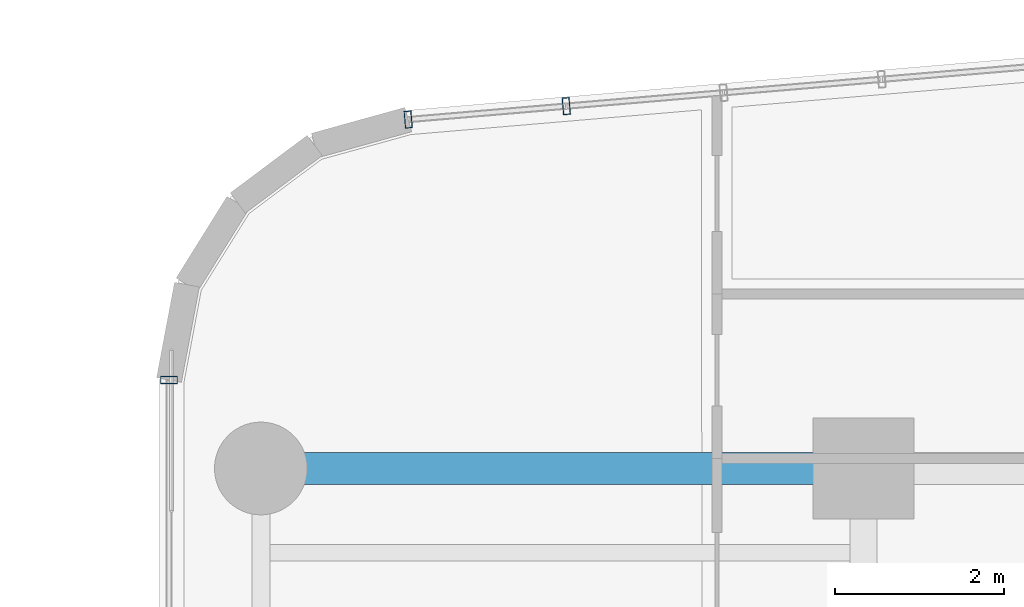
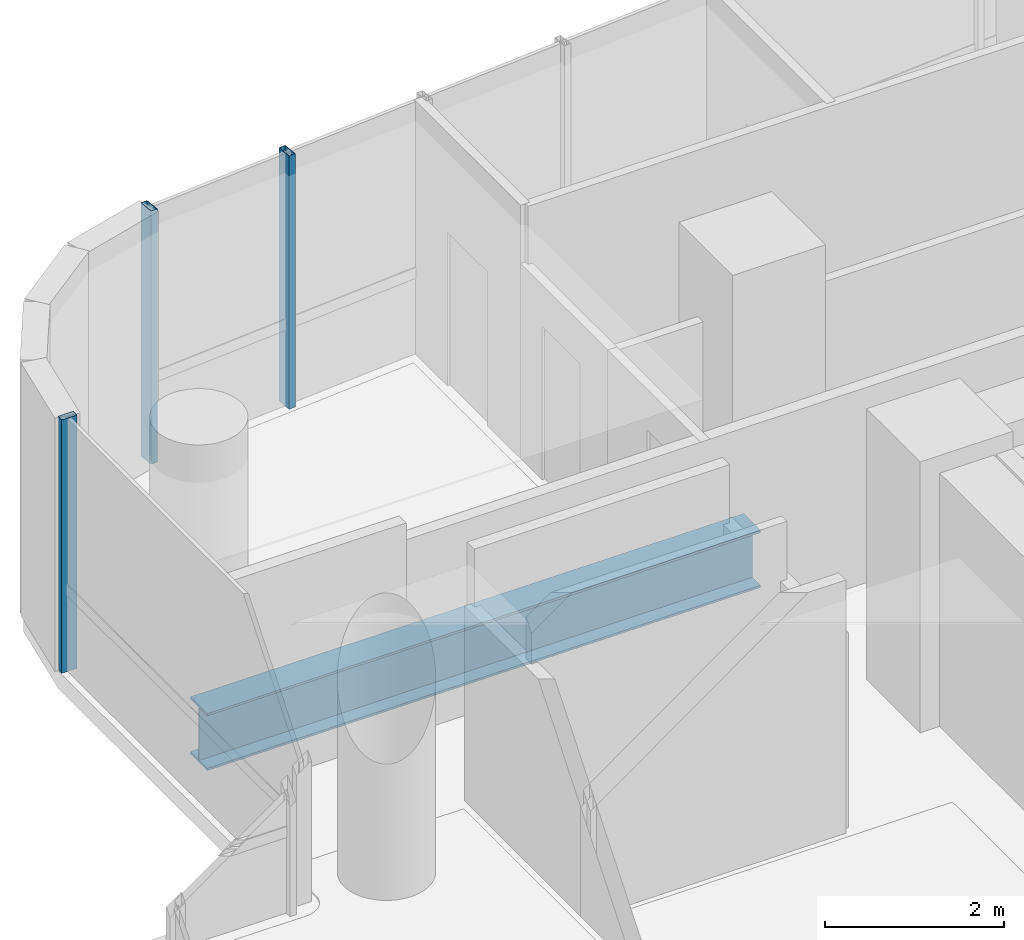
# One storey, part 18 of 36: 3 members, 1 beam, 2 elements without a shape of their own.
"""IFC4 building model written with IfcOpenShell, lengths in metres."""

from ifc_helpers import new_model, si_unit, direction, frame, origin, origin_2d, place, context, subcontext, project, spatial, hollow_rectangle, i_section, extrude, source, transform, mapped, material, material_profile, profile_set, type_object, element, aggregate, save


model = new_model("IFC4")

# Units and contexts
model_context = context("Model", 3, precision=1e-05, world=origin(), true_north=direction((0.0, 1.0)))
body_context = subcontext(model_context, "Body", "Model", "MODEL_VIEW")
ifc_project = project(units=[si_unit("LENGTHUNIT", "METRE"), si_unit("AREAUNIT", "SQUARE_METRE"), si_unit("VOLUMEUNIT", "CUBIC_METRE"), si_unit("PLANEANGLEUNIT", "RADIAN"), si_unit("MASSUNIT", "GRAM", prefix="KILO")], contexts=[model_context])

# Site, building, storey
site_placement = place(None, origin())
site = spatial("IfcSite", under=ifc_project, at=site_placement, CompositionType="ELEMENT")
building_placement = place(site_placement, origin())
building = spatial("IfcBuilding", under=site, at=building_placement, Name="Valdorenza Pilgrim Sanctuary Tower", CompositionType="ELEMENT")
storey_placement = place(building_placement, frame((0.0, 0.0, 109.39990234375)))
storey = spatial("IfcBuildingStorey", under=building, at=storey_placement, Name="L27", CompositionType="ELEMENT", Elevation=109.39990234375)

# Beam
ifc_material_1 = material(Name="Steel ASTM A992 Grade 50", Category="steel")
ifc_material_profile_1 = material_profile(ifc_material_1, i_section(OverallWidth=0.382080078125, OverallDepth=0.779052734375, WebThickness=0.01806640625, FlangeThickness=0.030029296875, at=origin_2d()), Name="W30X191")
ifc_profile_set_1 = profile_set([ifc_material_profile_1], Name="Steel ASTM A992 Grade 50")
beam_type = type_object("IfcBeamType", Name="STR-BM-GRD-W30", PredefinedType="BEAM", material=ifc_profile_set_1)
shared_shape_1 = source(origin(), body_context, "Body", "SweptSolid", [
    extrude(i_section(OverallWidth=0.382080078125, OverallDepth=0.779052734375, WebThickness=0.01806640625, FlangeThickness=0.030029296875, at=origin_2d()), origin(), (0.0, 0.0, 1.0), 7.150146484375),
])
beam_placement = place(storey_placement, frame((-29.800048828125, 14.800048828125, -0.62939453125), z_axis=(1.0, 0.0, 0.0), x_axis=(0.0, 1.0, 0.0)))
element("IfcBeam", 1, at=beam_placement, inside=storey, type_object=beam_type, Name="L27 Floor Girder WA-XW-N2", PredefinedType="BEAM", context=body_context, shape_type="MappedRepresentation", body=[
    mapped(shared_shape_1, transform((0.0, 0.0, 0.0), x_axis=(1.0, 0.0, 0.0), y_axis=(0.0, 1.0, 0.0), z_axis=(0.0, 0.0, 1.0), scale=1.0)),
])

# Curtain wall, member
ifc_material_2 = material(Name="Curtain-wall IGU glazing", Category="glass")
curtain_wall_type = type_object("IfcCurtainWallType", Name="CW-SYS-02", PredefinedType="NOTDEFINED", material=ifc_material_2)
curtain_wall_1_placement = place(storey_placement, origin())
curtain_wall_1 = element("IfcCurtainWall", 2, at=curtain_wall_1_placement, inside=storey, type_object=curtain_wall_type, Name="L27 Curtain Wall CW-L27-1-1S2", PredefinedType="NOTDEFINED")
ifc_material_3 = material(Name="Anodised aluminium AW-6060", Category="aluminium")
ifc_material_profile_2 = material_profile(ifc_material_3, hollow_rectangle(XDim=0.0849609375, YDim=0.199951171875, WallThickness=0.0048828125, at=origin_2d()), Name="ALU-M 200x85x5")
ifc_profile_set_2 = profile_set([ifc_material_profile_2], Name="Anodised aluminium AW-6060")
member_type = type_object("IfcMemberType", Name="CW-MUL-02", PredefinedType="MULLION", material=ifc_profile_set_2)
shared_shape_2 = source(origin(), body_context, "Body", "SweptSolid", [
    extrude(hollow_rectangle(XDim=0.0849609375, YDim=0.199951171875, WallThickness=0.0048828125, at=origin_2d()), origin(), (0.0, 0.0, 1.0), 3.460205078125),
])
member_1_placement = place(storey_placement, frame((-30.889892578125, 15.850341796875, 0.0), z_axis=(0.0, 0.0, 1.0), x_axis=(0.0, 1.0, 0.0)))
member_1 = element("IfcMember", 3, at=member_1_placement, type_object=member_type, Name="CW-L27-1-1S2 Mullion 2", PredefinedType="MULLION", context=body_context, shape_type="MappedRepresentation", body=[
    mapped(shared_shape_2, transform((0.0, 0.0, 0.0), x_axis=(1.0, 0.0, 0.0), y_axis=(0.0, 1.0, 0.0), z_axis=(0.0, 0.0, 1.0), scale=1.0)),
])
aggregate(curtain_wall_1, [member_1])

# Curtain wall, members
curtain_wall_2_placement = place(storey_placement, origin())
curtain_wall_2 = element("IfcCurtainWall", 4, at=curtain_wall_2_placement, inside=storey, type_object=curtain_wall_type, Name="L27 Curtain Wall CW-L27-1-6", PredefinedType="NOTDEFINED")
member_2_placement = place(storey_placement, frame((-28.051513671875, 18.940185546875, 0.0), z_axis=(0.0, 0.0, 1.0), x_axis=(0.99640764237, 0.084686541006, 0.0)))
member_2 = element("IfcMember", 5, at=member_2_placement, type_object=member_type, Name="CW-L27-1-6 Mullion 1", PredefinedType="MULLION", context=body_context, shape_type="MappedRepresentation", body=[
    mapped(shared_shape_2, transform((0.0, 0.0, 0.0), x_axis=(1.0, 0.0, 0.0), y_axis=(0.0, 1.0, 0.0), z_axis=(0.0, 0.0, 1.0), scale=1.0)),
])
member_3_placement = place(storey_placement, frame((-26.17578125, 19.099609375, 0.0), z_axis=(0.0, 0.0, 1.0), x_axis=(0.99640764237, 0.084686541006, 0.0)))
member_3 = element("IfcMember", 6, at=member_3_placement, type_object=member_type, Name="CW-L27-1-6 Sub-Mullion 48-1", PredefinedType="MULLION", context=body_context, shape_type="MappedRepresentation", body=[
    mapped(shared_shape_2, transform((0.0, 0.0, 0.0), x_axis=(1.0, 0.0, 0.0), y_axis=(0.0, 1.0, 0.0), z_axis=(0.0, 0.0, 1.0), scale=1.0)),
])
aggregate(curtain_wall_2, [member_2, member_3])

save(model, "model.ifc")
